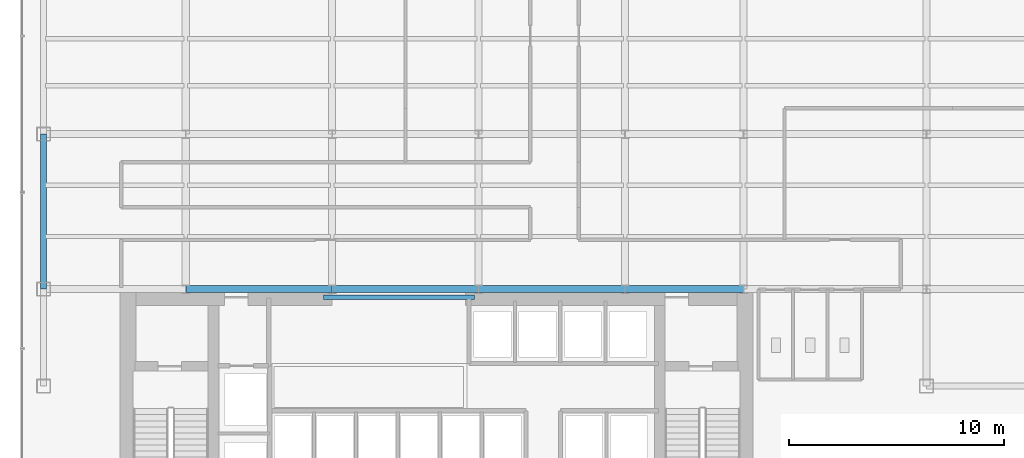
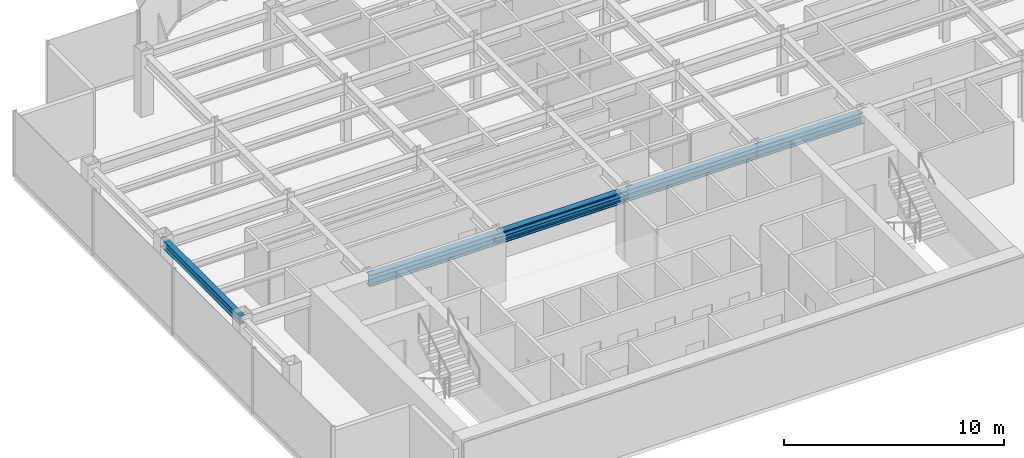
# One storey, part 4 of 25: 6 beams.
"""IFC4 building model written with IfcOpenShell, lengths in metres."""

from ifc_helpers import new_model, si_unit, derived_unit, direction, frame, origin, origin_2d, place, context, subcontext, project, spatial, i_section, extrude, source, transform, mapped, material, material_profile, profile_set, type_object, element, save


model = new_model("IFC4")

# Units and contexts
model_context = context("Model", 3, precision=1e-05, world=origin(), true_north=direction((0.0, 1.0)))
body_context = subcontext(model_context, "Body", "Model", "MODEL_VIEW")
ifc_project = project(units=[si_unit("LENGTHUNIT", "METRE"), si_unit("AREAUNIT", "SQUARE_METRE"), si_unit("VOLUMEUNIT", "CUBIC_METRE"), si_unit("PLANEANGLEUNIT", "RADIAN"), si_unit("MASSUNIT", "GRAM", prefix="KILO"), derived_unit("THERMALTRANSMITTANCEUNIT", [(si_unit("POWERUNIT", "WATT"), 1), (si_unit("LENGTHUNIT", "METRE"), -2), (si_unit("THERMODYNAMICTEMPERATUREUNIT", "KELVIN"), -1)])], contexts=[model_context])

# Site, building, storey
site_placement = place(None, origin())
site = spatial("IfcSite", under=ifc_project, at=site_placement, CompositionType="ELEMENT")
building_placement = place(site_placement, origin())
building = spatial("IfcBuilding", under=site, at=building_placement, Name="Skarnbrae Concourse Arena and Tower", CompositionType="ELEMENT")
storey_placement = place(building_placement, frame((0.0, 0.0, 177.10009765625)))
storey = spatial("IfcBuildingStorey", under=building, at=storey_placement, Name="L45", CompositionType="ELEMENT", Elevation=177.10009765625)

# Beams
ifc_material = material(Name="Steel CSA G40.21 350W", Category="steel")
ifc_material_profile_1 = material_profile(ifc_material, i_section(OverallWidth=0.202880859375, OverallDepth=0.251953125, WebThickness=0.008056640625, FlangeThickness=0.013427734375, at=origin_2d()), Name="W250X58")
ifc_profile_set_1 = profile_set([ifc_material_profile_1], Name="Steel CSA G40.21 350W")
beam_type_1 = type_object("IfcBeamType", Name="BM-LINTEL-W250X58", PredefinedType="LINTEL", material=ifc_profile_set_1)
shared_shape_1 = source(origin(), body_context, "Body", "SweptSolid", [
    extrude(i_section(OverallWidth=0.202880859375, OverallDepth=0.251953125, WebThickness=0.008056640625, FlangeThickness=0.013427734375, at=origin_2d()), origin(), (0.0, 0.0, 1.0), 7.0),
])
beam_1_placement = place(storey_placement, frame((14.0, 13.625, 3.27392578125), z_axis=(1.0, 0.0, 0.0), x_axis=(0.0, 1.0, 0.0)))
element("IfcBeam", 1, at=beam_1_placement, inside=storey, type_object=beam_type_1, Name="L45 Core portal coupling lintel", PredefinedType="LINTEL", context=body_context, shape_type="MappedRepresentation", body=[
    mapped(shared_shape_1, transform((0.0, 0.0, 0.0))),
])
ifc_material_profile_2 = material_profile(ifc_material, i_section(OverallWidth=0.3291015625, OverallDepth=0.635009765625, WebThickness=0.017822265625, FlangeThickness=0.031005859375, at=origin_2d()), Name="W610X241")
ifc_profile_set_2 = profile_set([ifc_material_profile_2], Name="Steel CSA G40.21 350W")
beam_type_2 = type_object("IfcBeamType", Name="BM-GIRD-W610X241", PredefinedType="BEAM", material=ifc_profile_set_2)
shared_shape_2 = source(origin(), body_context, "Body", "SweptSolid", [
    extrude(i_section(OverallWidth=0.3291015625, OverallDepth=0.635009765625, WebThickness=0.017822265625, FlangeThickness=0.031005859375, at=origin_2d()), origin(), (0.0, 0.0, 1.0), 6.7998046875),
])
beam_2_placement = place(storey_placement, frame((7.60009765625, 14.0, 3.08251953125), z_axis=(1.0, 0.0, 0.0), x_axis=(0.0, 1.0, 0.0)))
element("IfcBeam", 2, at=beam_2_placement, inside=storey, type_object=beam_type_2, Name="L45 Primary E-W girder Y14.0-2", PredefinedType="BEAM", context=body_context, shape_type="MappedRepresentation", body=[
    mapped(shared_shape_2, transform((0.0, 0.0, 0.0))),
])
shared_shape_3 = source(origin(), body_context, "Body", "SweptSolid", [
    extrude(i_section(OverallWidth=0.3291015625, OverallDepth=0.635009765625, WebThickness=0.017822265625, FlangeThickness=0.031005859375, at=origin_2d()), origin(), (0.0, 0.0, 1.0), 6.800048828125),
])
for number, where, z_axis, x_axis, name in (
    (3, (14.39990234375, 14.0, 3.08251953125), (1.0, 0.0, 0.0), (0.0, 1.0, 0.0), "L45 Primary E-W girder Y14.0-3"),
    (4, (21.199951171875, 14.0, 3.08251953125), (1.0, 0.0, 0.0), (0.0, 1.0, 0.0), "L45 Primary E-W girder Y14.0-4"),
):
    element("IfcBeam", number, at=place(storey_placement, frame(where, z_axis=z_axis, x_axis=x_axis)), inside=storey, type_object=beam_type_2, Name=name, PredefinedType="BEAM", context=body_context, shape_type="MappedRepresentation", body=[
        mapped(shared_shape_3, transform((0.0, 0.0, 0.0))),
    ])
shared_shape_4 = source(origin(), body_context, "Body", "SweptSolid", [
    extrude(i_section(OverallWidth=0.3291015625, OverallDepth=0.635009765625, WebThickness=0.017822265625, FlangeThickness=0.031005859375, at=origin_2d()), origin(), (0.0, 0.0, 1.0), 5.5),
])
beam_3_placement = place(storey_placement, frame((28.0, 14.0, 3.08251953125), z_axis=(1.0, 0.0, 0.0), x_axis=(0.0, 1.0, 0.0)))
element("IfcBeam", 5, at=beam_3_placement, inside=storey, type_object=beam_type_2, Name="L45 Primary E-W girder Y14.0-5", PredefinedType="BEAM", context=body_context, shape_type="MappedRepresentation", body=[
    mapped(shared_shape_4, transform((0.0, 0.0, 0.0))),
])
ifc_material_profile_3 = material_profile(ifc_material, i_section(OverallWidth=0.280029296875, OverallDepth=0.462890625, WebThickness=0.0107421875, FlangeThickness=0.017333984375, at=origin_2d()), Name="W460X113")
ifc_profile_set_3 = profile_set([ifc_material_profile_3], Name="Steel CSA G40.21 350W")
beam_type_3 = type_object("IfcBeamType", Name="BM-SPAN-W460X113", PredefinedType="SPANDREL", material=ifc_profile_set_3)
shared_shape_5 = source(origin(), body_context, "Body", "SweptSolid", [
    extrude(i_section(OverallWidth=0.280029296875, OverallDepth=0.462890625, WebThickness=0.0107421875, FlangeThickness=0.017333984375, at=origin_2d()), origin(), (0.0, 0.0, 1.0), 7.199951171875),
])
beam_4_placement = place(storey_placement, frame((1.0, 14.0, 3.16845703125), z_axis=(0.0, 1.0, 0.0), x_axis=(-1.0, 0.0, 0.0)))
element("IfcBeam", 6, at=beam_4_placement, inside=storey, type_object=beam_type_3, Name="L45 Perimeter spandrel X1.0-2", PredefinedType="SPANDREL", context=body_context, shape_type="MappedRepresentation", body=[
    mapped(shared_shape_5, transform((0.0, 0.0, 0.0))),
])

save(model, "model.ifc")
